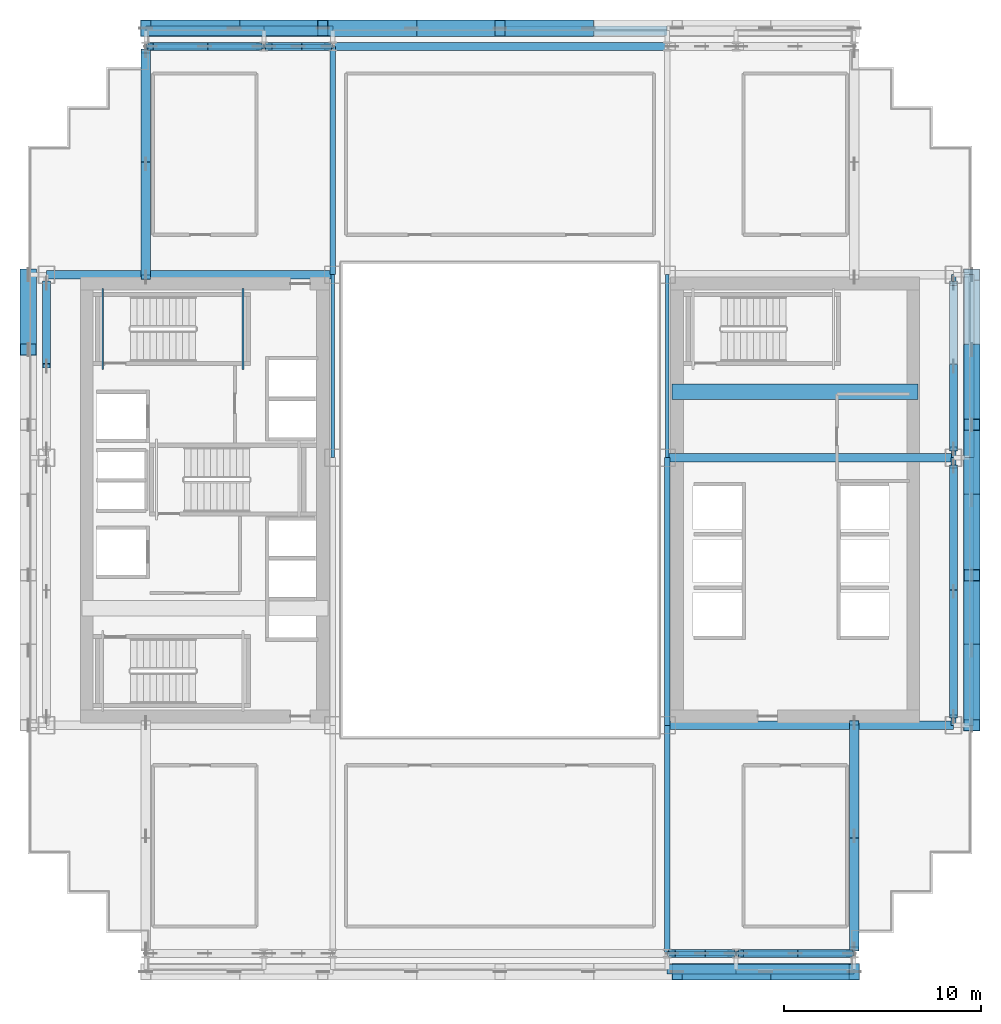
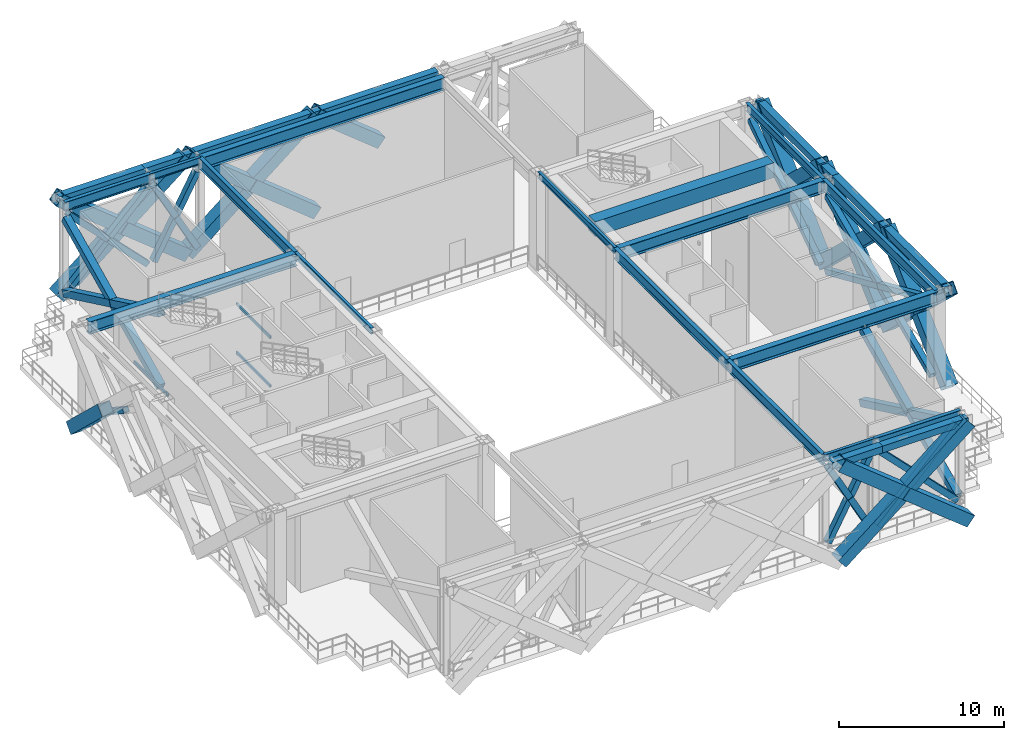
# One storey, part 2 of 14: 43 members, 26 beams.
"""IFC4 building model written with IfcOpenShell, lengths in metres."""

from ifc_helpers import new_model, si_unit, direction, frame, origin, origin_2d, place, context, subcontext, project, spatial, rectangle, hollow_rectangle, i_section, extrude, source, transform, mapped, material, material_profile, profile_set, type_object, element, save


model = new_model("IFC4")

# Units and contexts
model_context = context("Model", 3, precision=1e-05, world=origin(), true_north=direction((0.0, 1.0)))
body_context = subcontext(model_context, "Body", "Model", "MODEL_VIEW")
ifc_project = project(units=[si_unit("LENGTHUNIT", "METRE"), si_unit("AREAUNIT", "SQUARE_METRE"), si_unit("VOLUMEUNIT", "CUBIC_METRE"), si_unit("PLANEANGLEUNIT", "RADIAN"), si_unit("MASSUNIT", "GRAM", prefix="KILO")], contexts=[model_context])

# Site, building, storey
site_placement = place(None, origin())
site = spatial("IfcSite", under=ifc_project, at=site_placement, CompositionType="ELEMENT")
building_placement = place(site_placement, origin())
building = spatial("IfcBuilding", under=site, at=building_placement, Name="Ocotamira Hotel", CompositionType="ELEMENT")
storey_placement = place(building_placement, frame((0.0, 0.0, 85.199951171875)))
storey = spatial("IfcBuildingStorey", under=building, at=storey_placement, Name="L21", CompositionType="ELEMENT", Elevation=85.199951171875)

# Beams
ifc_material_1 = material(Name="Concrete C60/75", Category="concrete")
ifc_material_profile_1 = material_profile(ifc_material_1, rectangle(XDim=0.800048828125, YDim=1.10009765625, at=origin_2d()), Name="RC800X1100")
ifc_profile_set_1 = profile_set([ifc_material_profile_1], Name="Concrete C60/75")
beam_type_1 = type_object("IfcBeamType", Name="BM-LINK-RC800", PredefinedType="LINTEL", material=ifc_profile_set_1)
shared_shape_1 = source(origin(), body_context, "Body", "SweptSolid", [
    extrude(rectangle(XDim=0.800048828125, YDim=1.10009765625, at=origin_2d()), origin(), (0.0, 0.0, 1.0), 12.5),
])
beam_1_placement = place(storey_placement, frame((40.75, 31.5, 6.3701171875), z_axis=(1.0, 0.0, 0.0), x_axis=(0.0, 1.0, 0.0)))
element("IfcBeam", 1, at=beam_1_placement, inside=storey, type_object=beam_type_1, Name="L21 East Core Coupling Beam", PredefinedType="LINTEL", context=body_context, shape_type="MappedRepresentation", body=[
    mapped(shared_shape_1, transform((0.0, 0.0, 0.0), scale=1.0)),
])
ifc_material_2 = material(Name="Steel ASTM A500 Grade C", Category="steel")
ifc_material_profile_2 = material_profile(ifc_material_2, hollow_rectangle(XDim=0.10009765625, YDim=0.199951171875, WallThickness=0.008056640625, at=origin_2d()), Name="HSS200X100X8")
ifc_profile_set_2 = profile_set([ifc_material_profile_2], Name="Steel ASTM A500 Grade C")
beam_type_2 = type_object("IfcBeamType", Name="BM-STLDG-HSS200", PredefinedType="BEAM", material=ifc_profile_set_2)
shared_shape_2 = source(origin(), body_context, "Body", "SweptSolid", [
    extrude(hollow_rectangle(XDim=0.10009765625, YDim=0.199951171875, WallThickness=0.008056640625, at=origin_2d()), origin(), (0.0, 0.0, 1.0), 4.1201171875),
])
for number, where, z_axis, x_axis, name in (
    (2, (18.949951171875, 32.6298828125, 1.5), (0.0, 1.0, 0.0), (-1.0, 0.0, 0.0), "L21 Stair ST-2 Landing Bearer 1"),
    (3, (11.81005859375, 32.6298828125, 3.300048828125), (0.0, 1.0, 0.0), (-1.0, 0.0, 0.0), "L21 Stair ST-2 Landing Bearer 2"),
    (4, (18.949951171875, 32.6298828125, 5.10009765625), (0.0, 1.0, 0.0), (-1.0, 0.0, 0.0), "L21 Stair ST-2 Landing Bearer 3"),
):
    element("IfcBeam", number, at=place(storey_placement, frame(where, z_axis=z_axis, x_axis=x_axis)), inside=storey, type_object=beam_type_2, Name=name, PredefinedType="BEAM", context=body_context, shape_type="MappedRepresentation", body=[
        mapped(shared_shape_2, transform((0.0, 0.0, 0.0), scale=1.0)),
    ])
ifc_material_3 = material(Name="Steel ASTM A992 Grade 50", Category="steel")
ifc_material_profile_3 = material_profile(ifc_material_3, i_section(OverallWidth=0.41796875, OverallDepth=0.927001953125, WebThickness=0.019287109375, FlangeThickness=0.031982421875, FilletRadius=0.02392578125, at=origin_2d()), Name="W36X231")
ifc_profile_set_3 = profile_set([ifc_material_profile_3], Name="Steel ASTM A992 Grade 50")
beam_type_3 = type_object("IfcBeamType", Name="BM-GIRD-W36X231", PredefinedType="BEAM", material=ifc_profile_set_3)
shared_shape_3 = source(origin(), body_context, "Body", "SweptSolid", [
    extrude(i_section(OverallWidth=0.41796875, OverallDepth=0.927001953125, WebThickness=0.019287109375, FlangeThickness=0.031982421875, FilletRadius=0.02392578125, at=origin_2d()), origin(), (0.0, 0.0, 1.0), 14.550048828125),
])
for number, where, z_axis, x_axis, name in (
    (5, (40.5, 14.550048828125, 6.45654296875), (1.0, 0.0, 0.0), (0.0, 1.0, 0.0), "L21 Girder Y14.55 X40.5-55.05"),
    (6, (40.5, 28.14990234375, 6.45654296875), (1.0, 0.0, 0.0), (0.0, 1.0, 0.0), "L21 Girder Y28.15 X40.5-55.05"),
    (7, (8.949951171875, 37.449951171875, 6.45654296875), (1.0, 0.0, 0.0), (0.0, 1.0, 0.0), "L21 Girder Y37.45 X8.95-23.5"),
):
    element("IfcBeam", number, at=place(storey_placement, frame(where, z_axis=z_axis, x_axis=x_axis)), inside=storey, type_object=beam_type_3, Name=name, PredefinedType="BEAM", context=body_context, shape_type="MappedRepresentation", body=[
        mapped(shared_shape_3, transform((0.0, 0.0, 0.0), scale=1.0)),
    ])
shared_shape_4 = source(origin(), body_context, "Body", "SweptSolid", [
    extrude(i_section(OverallWidth=0.41796875, OverallDepth=0.927001953125, WebThickness=0.019287109375, FlangeThickness=0.031982421875, FilletRadius=0.02392578125, at=origin_2d()), origin(), (0.0, 0.0, 1.0), 17.0),
])
beam_2_placement = place(storey_placement, frame((23.5, 49.050048828125, 6.45654296875), z_axis=(1.0, 0.0, 0.0), x_axis=(0.0, 1.0, 0.0)))
element("IfcBeam", 8, at=beam_2_placement, inside=storey, type_object=beam_type_3, Name="L21 Girder Y49.05 X23.5-40.5", PredefinedType="BEAM", context=body_context, shape_type="MappedRepresentation", body=[
    mapped(shared_shape_4, transform((0.0, 0.0, 0.0), scale=1.0)),
])
ifc_material_profile_4 = material_profile(ifc_material_3, i_section(OverallWidth=0.256103515625, OverallDepth=0.693115234375, WebThickness=0.014404296875, FlangeThickness=0.023681640625, FilletRadius=0.01611328125, at=origin_2d()), Name="W27X114")
ifc_profile_set_4 = profile_set([ifc_material_profile_4], Name="Steel ASTM A992 Grade 50")
beam_type_4 = type_object("IfcBeamType", Name="BM-PRIM-W27X114", PredefinedType="BEAM", material=ifc_profile_set_4)
shared_shape_5 = source(origin(), body_context, "Body", "SweptSolid", [
    extrude(i_section(OverallWidth=0.256103515625, OverallDepth=0.693115234375, WebThickness=0.014404296875, FlangeThickness=0.023681640625, FilletRadius=0.01611328125, at=origin_2d()), origin(), (0.0, 0.0, 1.0), 6.0),
])
for number, where, z_axis, x_axis, name in (
    (9, (44.0, 2.949951171875, 6.573486328125), (1.0, 0.0, 0.0), (0.0, 1.0, 0.0), "L21 Girder Y2.95 X44-50"),
    (10, (14.0, 49.050048828125, 6.573486328125), (1.0, 0.0, 0.0), (0.0, 1.0, 0.0), "L21 Girder Y49.05 X14-20"),
):
    element("IfcBeam", number, at=place(storey_placement, frame(where, z_axis=z_axis, x_axis=x_axis)), inside=storey, type_object=beam_type_4, Name=name, PredefinedType="BEAM", context=body_context, shape_type="MappedRepresentation", body=[
        mapped(shared_shape_5, transform((0.0, 0.0, 0.0), scale=1.0)),
    ])
ifc_material_profile_5 = material_profile(ifc_material_3, i_section(OverallWidth=0.2099609375, OverallDepth=0.537109375, WebThickness=0.010986328125, FlangeThickness=0.017333984375, FilletRadius=0.012939453125, at=origin_2d()), Name="W21X68")
ifc_profile_set_5 = profile_set([ifc_material_profile_5], Name="Steel ASTM A992 Grade 50")
beam_type_5 = type_object("IfcBeamType", Name="BM-SEC-W21X68", PredefinedType="JOIST", material=ifc_profile_set_5)
shared_shape_6 = source(origin(), body_context, "Body", "SweptSolid", [
    extrude(i_section(OverallWidth=0.2099609375, OverallDepth=0.537109375, WebThickness=0.010986328125, FlangeThickness=0.017333984375, FilletRadius=0.012939453125, at=origin_2d()), origin(), (0.0, 0.0, 1.0), 3.5),
])
for number, where, z_axis, x_axis, name in (
    (11, (40.5, 2.949951171875, 6.651611328125), (1.0, 0.0, 0.0), (0.0, 1.0, 0.0), "L21 Girder Y2.95 X40.5-44"),
    (12, (20.0, 49.050048828125, 6.651611328125), (1.0, 0.0, 0.0), (0.0, 1.0, 0.0), "L21 Girder Y49.05 X20-23.5"),
):
    element("IfcBeam", number, at=place(storey_placement, frame(where, z_axis=z_axis, x_axis=x_axis)), inside=storey, type_object=beam_type_5, Name=name, PredefinedType="JOIST", context=body_context, shape_type="MappedRepresentation", body=[
        mapped(shared_shape_6, transform((0.0, 0.0, 0.0), scale=1.0)),
    ])
ifc_material_profile_6 = material_profile(ifc_material_3, i_section(OverallWidth=0.26611328125, OverallDepth=0.779052734375, WebThickness=0.0166015625, FlangeThickness=0.030029296875, FilletRadius=0.01806640625, at=origin_2d()), Name="W30X148")
ifc_profile_set_6 = profile_set([ifc_material_profile_6], Name="Steel ASTM A992 Grade 50")
beam_type_6 = type_object("IfcBeamType", Name="BM-GIRD-W30X148", PredefinedType="BEAM", material=ifc_profile_set_6)
shared_shape_7 = source(origin(), body_context, "Body", "SweptSolid", [
    extrude(i_section(OverallWidth=0.26611328125, OverallDepth=0.779052734375, WebThickness=0.0166015625, FlangeThickness=0.030029296875, FilletRadius=0.01806640625, at=origin_2d()), origin(), (0.0, 0.0, 1.0), 13.599853515625),
])
for number, where, z_axis, x_axis, name in (
    (13, (40.5, 14.550048828125, 6.530517578125), (0.0, 1.0, 0.0), (-1.0, 0.0, 0.0), "L21 Beam X40.5 Y14.55-28.15"),
    (14, (55.050048828125, 14.550048828125, 6.530517578125), (0.0, 1.0, 0.0), (-1.0, 0.0, 0.0), "L21 Beam X55.05 Y14.55-28.15"),
):
    element("IfcBeam", number, at=place(storey_placement, frame(where, z_axis=z_axis, x_axis=x_axis)), inside=storey, type_object=beam_type_6, Name=name, PredefinedType="BEAM", context=body_context, shape_type="MappedRepresentation", body=[
        mapped(shared_shape_7, transform((0.0, 0.0, 0.0), scale=1.0)),
    ])
ifc_material_profile_7 = material_profile(ifc_material_3, i_section(OverallWidth=0.22998046875, OverallDepth=0.616943359375, WebThickness=0.01318359375, FlangeThickness=0.022216796875, FilletRadius=0.012939453125, at=origin_2d()), Name="W24X94")
ifc_profile_set_7 = profile_set([ifc_material_profile_7], Name="Steel ASTM A992 Grade 50")
beam_type_7 = type_object("IfcBeamType", Name="BM-PRIM-W24X94", PredefinedType="BEAM", material=ifc_profile_set_7)
shared_shape_8 = source(origin(), body_context, "Body", "SweptSolid", [
    extrude(i_section(OverallWidth=0.22998046875, OverallDepth=0.616943359375, WebThickness=0.01318359375, FlangeThickness=0.022216796875, FilletRadius=0.012939453125, at=origin_2d()), origin(), (0.0, 0.0, 1.0), 9.300048828125),
])
beam_3_placement = place(storey_placement, frame((55.050048828125, 28.14990234375, 6.611572265625), z_axis=(0.0, 1.0, 0.0), x_axis=(-1.0, 0.0, 0.0)))
element("IfcBeam", 15, at=beam_3_placement, inside=storey, type_object=beam_type_7, Name="L21 Beam X55.05 Y28.15-37.45", PredefinedType="BEAM", context=body_context, shape_type="MappedRepresentation", body=[
    mapped(shared_shape_8, transform((0.0, 0.0, 0.0), scale=1.0)),
])
shared_shape_9 = source(origin(), body_context, "Body", "SweptSolid", [
    extrude(i_section(OverallWidth=0.26611328125, OverallDepth=0.779052734375, WebThickness=0.0166015625, FlangeThickness=0.030029296875, FilletRadius=0.01806640625, at=origin_2d()), origin(), (0.0, 0.0, 1.0), 11.60009765625),
])
for number, where, z_axis, x_axis, name in (
    (16, (23.5, 37.449951171875, 6.530517578125), (0.0, 1.0, 0.0), (-1.0, 0.0, 0.0), "L21 Beam X23.5 Y37.45-49.05"),
    (17, (40.5, 2.949951171875, 6.530517578125), (0.0, 1.0, 0.0), (-1.0, 0.0, 0.0), "L21 Beam X40.5 Y2.95-14.55"),
):
    element("IfcBeam", number, at=place(storey_placement, frame(where, z_axis=z_axis, x_axis=x_axis)), inside=storey, type_object=beam_type_6, Name=name, PredefinedType="BEAM", context=body_context, shape_type="MappedRepresentation", body=[
        mapped(shared_shape_9, transform((0.0, 0.0, 0.0), scale=1.0)),
    ])
ifc_material_profile_8 = material_profile(ifc_material_3, i_section(OverallWidth=0.18994140625, OverallDepth=0.45703125, WebThickness=0.009033203125, FlangeThickness=0.014404296875, FilletRadius=0.010009765625, at=origin_2d()), Name="W18X50")
ifc_profile_set_8 = profile_set([ifc_material_profile_8], Name="Steel ASTM A992 Grade 50")
beam_type_8 = type_object("IfcBeamType", Name="BM-SEC-W18X50", PredefinedType="JOIST", material=ifc_profile_set_8)
shared_shape_10 = source(origin(), body_context, "Body", "SweptSolid", [
    extrude(i_section(OverallWidth=0.18994140625, OverallDepth=0.45703125, WebThickness=0.009033203125, FlangeThickness=0.014404296875, FilletRadius=0.010009765625, at=origin_2d()), origin(), (0.0, 0.0, 1.0), 9.300048828125),
])
for number, where, z_axis, x_axis, name in (
    (18, (23.5, 28.14990234375, 6.691650390625), (0.0, 1.0, 0.0), (-1.0, 0.0, 0.0), "L21 Beam X23.5 Y28.15-37.45"),
    (19, (40.5, 28.14990234375, 6.691650390625), (0.0, 1.0, 0.0), (-1.0, 0.0, 0.0), "L21 Beam X40.5 Y28.15-37.45"),
):
    element("IfcBeam", number, at=place(storey_placement, frame(where, z_axis=z_axis, x_axis=x_axis)), inside=storey, type_object=beam_type_8, Name=name, PredefinedType="JOIST", context=body_context, shape_type="MappedRepresentation", body=[
        mapped(shared_shape_10, transform((0.0, 0.0, 0.0), scale=1.0)),
    ])
ifc_material_profile_9 = material_profile(ifc_material_2, hollow_rectangle(XDim=0.5, YDim=0.5, WallThickness=0.02001953125, at=origin_2d()), Name="HSS500X500X20")
ifc_profile_set_9 = profile_set([ifc_material_profile_9], Name="Steel ASTM A500 Grade C")
beam_type_9 = type_object("IfcBeamType", Name="BM-SPAN-HSS500", PredefinedType="USERDEFINED", material=ifc_profile_set_9)
shared_shape_11 = source(origin(), body_context, "Body", "SweptSolid", [
    extrude(hollow_rectangle(XDim=0.5, YDim=0.5, WallThickness=0.02001953125, at=origin_2d()), origin(), (0.0, 0.0, 1.0), 6.0),
])
for number, where, z_axis, x_axis, name in (
    (20, (44.0, 2.14990234375, 6.670166015625), (1.0, 0.0, 0.0), (0.0, 1.0, 0.0), "L21 Edge Spandrel S X44-50"),
    (21, (14.0, 49.85009765625, 6.670166015625), (1.0, 0.0, 0.0), (0.0, 1.0, 0.0), "L21 Edge Spandrel N X14-20"),
):
    element("IfcBeam", number, at=place(storey_placement, frame(where, z_axis=z_axis, x_axis=x_axis)), inside=storey, type_object=beam_type_9, Name=name, ObjectType="SPANDREL", PredefinedType="USERDEFINED", context=body_context, shape_type="MappedRepresentation", body=[
        mapped(shared_shape_11, transform((0.0, 0.0, 0.0), scale=1.0)),
    ])
shared_shape_12 = source(origin(), body_context, "Body", "SweptSolid", [
    extrude(hollow_rectangle(XDim=0.5, YDim=0.5, WallThickness=0.02001953125, at=origin_2d()), origin(), (0.0, 0.0, 1.0), 13.599853515625),
])
beam_4_placement = place(storey_placement, frame((55.85009765625, 14.550048828125, 6.670166015625), z_axis=(0.0, 1.0, 0.0), x_axis=(-1.0, 0.0, 0.0)))
element("IfcBeam", 22, at=beam_4_placement, inside=storey, type_object=beam_type_9, Name="L21 Edge Spandrel E Y14.55-28.15", ObjectType="SPANDREL", PredefinedType="USERDEFINED", context=body_context, shape_type="MappedRepresentation", body=[
    mapped(shared_shape_12, transform((0.0, 0.0, 0.0), scale=1.0)),
])
shared_shape_13 = source(origin(), body_context, "Body", "SweptSolid", [
    extrude(hollow_rectangle(XDim=0.5, YDim=0.5, WallThickness=0.02001953125, at=origin_2d()), origin(), (0.0, 0.0, 1.0), 9.300048828125),
])
beam_5_placement = place(storey_placement, frame((55.85009765625, 28.14990234375, 6.670166015625), z_axis=(0.0, 1.0, 0.0), x_axis=(-1.0, 0.0, 0.0)))
element("IfcBeam", 23, at=beam_5_placement, inside=storey, type_object=beam_type_9, Name="L21 Edge Spandrel E Y28.15-37.45", ObjectType="SPANDREL", PredefinedType="USERDEFINED", context=body_context, shape_type="MappedRepresentation", body=[
    mapped(shared_shape_13, transform((0.0, 0.0, 0.0), scale=1.0)),
])
shared_shape_14 = source(origin(), body_context, "Body", "SweptSolid", [
    extrude(hollow_rectangle(XDim=0.5, YDim=0.5, WallThickness=0.02001953125, at=origin_2d()), origin(), (0.0, 0.0, 1.0), 3.5),
])
for number, where, z_axis, x_axis, name in (
    (24, (40.5, 2.14990234375, 6.670166015625), (1.0, 0.0, 0.0), (0.0, 1.0, 0.0), "L21 Edge Spandrel S X40.5-44"),
    (25, (20.0, 49.85009765625, 6.670166015625), (1.0, 0.0, 0.0), (0.0, 1.0, 0.0), "L21 Edge Spandrel N X20-23.5"),
):
    element("IfcBeam", number, at=place(storey_placement, frame(where, z_axis=z_axis, x_axis=x_axis)), inside=storey, type_object=beam_type_9, Name=name, ObjectType="SPANDREL", PredefinedType="USERDEFINED", context=body_context, shape_type="MappedRepresentation", body=[
        mapped(shared_shape_14, transform((0.0, 0.0, 0.0), scale=1.0)),
    ])
shared_shape_15 = source(origin(), body_context, "Body", "SweptSolid", [
    extrude(hollow_rectangle(XDim=0.5, YDim=0.5, WallThickness=0.02001953125, at=origin_2d()), origin(), (0.0, 0.0, 1.0), 17.0),
])
beam_6_placement = place(storey_placement, frame((23.5, 49.85009765625, 6.670166015625), z_axis=(1.0, 0.0, 0.0), x_axis=(0.0, 1.0, 0.0)))
element("IfcBeam", 26, at=beam_6_placement, inside=storey, type_object=beam_type_9, Name="L21 Edge Spandrel N X23.5-40.5", ObjectType="SPANDREL", PredefinedType="USERDEFINED", context=body_context, shape_type="MappedRepresentation", body=[
    mapped(shared_shape_15, transform((0.0, 0.0, 0.0), scale=1.0)),
])

# Members
ifc_material_4 = material(Name="Steel ASTM A913 Grade 65", Category="steel")
ifc_material_profile_10 = material_profile(ifc_material_4, hollow_rectangle(XDim=0.5, YDim=0.5, WallThickness=0.02001953125, at=origin_2d()), Name="HSS500X500X20")
ifc_profile_set_10 = profile_set([ifc_material_profile_10], Name="Steel ASTM A913 Grade 65")
member_type_1 = type_object("IfcMemberType", Name="MEM-OUT-HSS500", PredefinedType="BRACE", material=ifc_profile_set_10)
shared_shape_16 = source(origin(), body_context, "Body", "SweptSolid", [
    extrude(hollow_rectangle(XDim=0.5, YDim=0.5, WallThickness=0.02001953125, at=origin_2d()), origin(), (0.0, 0.0, 1.0), 12.73876953125),
])
for number, where, z_axis, x_axis, name in (
    (27, (14.0, 37.324951171875, 0.35009765625), (0.0, 0.902368580511, 0.430965131891), (-1.0, 0.0, 0.0), "L21 Outrigger Truss N X14 A"),
    (28, (50.0, 14.675048828125, 0.35009765625), (0.0, -0.902368580511, 0.430965131891), (1.0, 0.0, 0.0), "L21 Outrigger Truss S X50 A"),
):
    element("IfcMember", number, at=place(storey_placement, frame(where, z_axis=z_axis, x_axis=x_axis)), inside=storey, type_object=member_type_1, Name=name, PredefinedType="BRACE", context=body_context, shape_type="MappedRepresentation", body=[
        mapped(shared_shape_16, transform((0.0, 0.0, 0.0), scale=1.0)),
    ])
shared_shape_17 = source(origin(), body_context, "Body", "SweptSolid", [
    extrude(hollow_rectangle(XDim=0.5, YDim=0.5, WallThickness=0.02001953125, at=origin_2d()), origin(), (0.0, 0.0, 1.0), 6.349365234375),
])
for number, where, z_axis, x_axis, name in (
    (29, (14.0, 37.324951171875, 5.840087890625), (0.0, 0.90237094461, -0.43096018183), (-1.0, 0.0, 0.0), "L21 Outrigger Truss N X14 B Lower Half"),
    (30, (14.0, 43.090576171875, 3.08642578125), (0.0, 0.90237094461, -0.43096018183), (-1.0, 0.0, 0.0), "L21 Outrigger Truss N X14 B Upper Half"),
    (31, (50.0, 14.675048828125, 5.840087890625), (0.0, -0.90237094461, -0.43096018183), (1.0, 0.0, 0.0), "L21 Outrigger Truss S X50 B Lower Half"),
    (32, (50.0, 8.909423828125, 3.08642578125), (0.0, -0.90237094461, -0.43096018183), (1.0, 0.0, 0.0), "L21 Outrigger Truss S X50 B Upper Half"),
):
    element("IfcMember", number, at=place(storey_placement, frame(where, z_axis=z_axis, x_axis=x_axis)), inside=storey, type_object=member_type_1, Name=name, PredefinedType="BRACE", context=body_context, shape_type="MappedRepresentation", body=[
        mapped(shared_shape_17, transform((0.0, 0.0, 0.0), scale=1.0)),
    ])
ifc_material_profile_11 = material_profile(ifc_material_4, hollow_rectangle(XDim=0.39990234375, YDim=0.39990234375, WallThickness=0.01611328125, at=origin_2d()), Name="HSS400X400X16")
ifc_profile_set_11 = profile_set([ifc_material_profile_11], Name="Steel ASTM A913 Grade 65")
member_type_2 = type_object("IfcMemberType", Name="MEM-BELT-HSS400", PredefinedType="BRACE", material=ifc_profile_set_11)
shared_shape_18 = source(origin(), body_context, "Body", "SweptSolid", [
    extrude(hollow_rectangle(XDim=0.39990234375, YDim=0.39990234375, WallThickness=0.01611328125, at=origin_2d()), origin(), (0.0, 0.0, 1.0), 7.870361328125),
])
for number, where, z_axis, x_axis, name in (
    (33, (44.239990234375, 2.949951171875, 0.35009765625), (0.701375952143, 0.0, 0.712791535973), (0.0, 1.0, 0.0), "L21 Belt Truss Diagonal 44,2.95 A"),
    (34, (14.239990234375, 49.050048828125, 0.35009765625), (0.701375952143, 0.0, 0.712791535973), (0.0, 1.0, 0.0), "L21 Belt Truss Diagonal 14,49.05 A"),
):
    element("IfcMember", number, at=place(storey_placement, frame(where, z_axis=z_axis, x_axis=x_axis)), inside=storey, type_object=member_type_2, Name=name, PredefinedType="BRACE", context=body_context, shape_type="MappedRepresentation", body=[
        mapped(shared_shape_18, transform((0.0, 0.0, 0.0), scale=1.0)),
    ])
shared_shape_19 = source(origin(), body_context, "Body", "SweptSolid", [
    extrude(hollow_rectangle(XDim=0.39990234375, YDim=0.39990234375, WallThickness=0.01611328125, at=origin_2d()), origin(), (0.0, 0.0, 1.0), 3.915283203125),
])
for number, where, z_axis, x_axis, name in (
    (35, (44.239990234375, 2.949951171875, 5.9599609375), (0.70137820504, 0.0, -0.712789319151), (0.0, 1.0, 0.0), "L21 Belt Truss Diagonal 44,2.95 B Lower Half"),
    (36, (47.013916015625, 2.949951171875, 3.140869140625), (0.70137820504, 0.0, -0.712789319151), (0.0, 1.0, 0.0), "L21 Belt Truss Diagonal 44,2.95 B Upper Half"),
    (37, (14.239990234375, 49.050048828125, 5.9599609375), (0.70137820504, 0.0, -0.712789319151), (0.0, 1.0, 0.0), "L21 Belt Truss Diagonal 14,49.05 B Lower Half"),
    (38, (17.013916015625, 49.050048828125, 3.140869140625), (0.70137820504, 0.0, -0.712789319151), (0.0, 1.0, 0.0), "L21 Belt Truss Diagonal 14,49.05 B Upper Half"),
):
    element("IfcMember", number, at=place(storey_placement, frame(where, z_axis=z_axis, x_axis=x_axis)), inside=storey, type_object=member_type_2, Name=name, PredefinedType="BRACE", context=body_context, shape_type="MappedRepresentation", body=[
        mapped(shared_shape_19, transform((0.0, 0.0, 0.0), scale=1.0)),
    ])
shared_shape_20 = source(origin(), body_context, "Body", "SweptSolid", [
    extrude(hollow_rectangle(XDim=0.39990234375, YDim=0.39990234375, WallThickness=0.01611328125, at=origin_2d()), origin(), (0.0, 0.0, 1.0), 6.37109375),
])
for number, where, z_axis, x_axis, name in (
    (39, (40.739990234375, 2.949951171875, 0.35009765625), (0.474017556158, 0.0, 0.880515392514), (0.0, 1.0, 0.0), "L21 Belt Truss Diagonal 40.5,2.95 A"),
    (40, (20.239990234375, 49.050048828125, 0.35009765625), (0.474017556158, 0.0, 0.880515392514), (0.0, 1.0, 0.0), "L21 Belt Truss Diagonal 20,49.05 A"),
):
    element("IfcMember", number, at=place(storey_placement, frame(where, z_axis=z_axis, x_axis=x_axis)), inside=storey, type_object=member_type_2, Name=name, PredefinedType="BRACE", context=body_context, shape_type="MappedRepresentation", body=[
        mapped(shared_shape_20, transform((0.0, 0.0, 0.0), scale=1.0)),
    ])
shared_shape_21 = source(origin(), body_context, "Body", "SweptSolid", [
    extrude(hollow_rectangle(XDim=0.39990234375, YDim=0.39990234375, WallThickness=0.01611328125, at=origin_2d()), origin(), (0.0, 0.0, 1.0), 3.16552734375),
])
for number, where, z_axis, x_axis, name in (
    (41, (40.739990234375, 2.949951171875, 5.9599609375), (0.474003238469, 0.0, -0.880523100163), (0.0, 1.0, 0.0), "L21 Belt Truss Diagonal 40.5,2.95 B Lower Half"),
    (42, (42.259521484375, 2.949951171875, 3.137451171875), (0.474003238469, 0.0, -0.880523100163), (0.0, 1.0, 0.0), "L21 Belt Truss Diagonal 40.5,2.95 B Upper Half"),
    (43, (20.239990234375, 49.050048828125, 5.9599609375), (0.474003238469, 0.0, -0.880523100163), (0.0, 1.0, 0.0), "L21 Belt Truss Diagonal 20,49.05 B Lower Half"),
    (44, (21.759521484375, 49.050048828125, 3.137451171875), (0.474003238469, 0.0, -0.880523100163), (0.0, 1.0, 0.0), "L21 Belt Truss Diagonal 20,49.05 B Upper Half"),
):
    element("IfcMember", number, at=place(storey_placement, frame(where, z_axis=z_axis, x_axis=x_axis)), inside=storey, type_object=member_type_2, Name=name, PredefinedType="BRACE", context=body_context, shape_type="MappedRepresentation", body=[
        mapped(shared_shape_21, transform((0.0, 0.0, 0.0), scale=1.0)),
    ])
shared_shape_22 = source(origin(), body_context, "Body", "SweptSolid", [
    extrude(hollow_rectangle(XDim=0.39990234375, YDim=0.39990234375, WallThickness=0.01611328125, at=origin_2d()), origin(), (0.0, 0.0, 1.0), 13.902099609375),
])
member_1_placement = place(storey_placement, frame((55.050048828125, 14.989990234375, 0.35009765625), z_axis=(0.0, 0.914967960932, 0.403526492895), x_axis=(-1.0, 0.0, 0.0)))
element("IfcMember", 45, at=member_1_placement, inside=storey, type_object=member_type_2, Name="L21 Belt Truss Diagonal 55.05,14.55 A", PredefinedType="BRACE", context=body_context, shape_type="MappedRepresentation", body=[
    mapped(shared_shape_22, transform((0.0, 0.0, 0.0), scale=1.0)),
])
shared_shape_23 = source(origin(), body_context, "Body", "SweptSolid", [
    extrude(hollow_rectangle(XDim=0.39990234375, YDim=0.39990234375, WallThickness=0.01611328125, at=origin_2d()), origin(), (0.0, 0.0, 1.0), 6.93115234375),
])
member_2_placement = place(storey_placement, frame((55.050048828125, 14.989990234375, 5.9599609375), z_axis=(0.0, 0.914969826027, -0.403522263896), x_axis=(-1.0, 0.0, 0.0)))
element("IfcMember", 46, at=member_2_placement, inside=storey, type_object=member_type_2, Name="L21 Belt Truss Diagonal 55.05,14.55 B Lower Half", PredefinedType="BRACE", context=body_context, shape_type="MappedRepresentation", body=[
    mapped(shared_shape_23, transform((0.0, 0.0, 0.0), scale=1.0)),
])
shared_shape_24 = source(origin(), body_context, "Body", "SweptSolid", [
    extrude(hollow_rectangle(XDim=0.39990234375, YDim=0.39990234375, WallThickness=0.01611328125, at=origin_2d()), origin(), (0.0, 0.0, 1.0), 6.930908203125),
])
member_3_placement = place(storey_placement, frame((55.050048828125, 21.368408203125, 3.14697265625), z_axis=(0.0, 0.914964090273, -0.403535269227), x_axis=(-1.0, 0.0, 0.0)))
element("IfcMember", 47, at=member_3_placement, inside=storey, type_object=member_type_2, Name="L21 Belt Truss Diagonal 55.05,14.55 B Upper Half", PredefinedType="BRACE", context=body_context, shape_type="MappedRepresentation", body=[
    mapped(shared_shape_24, transform((0.0, 0.0, 0.0), scale=1.0)),
])
shared_shape_25 = source(origin(), body_context, "Body", "SweptSolid", [
    extrude(hollow_rectangle(XDim=0.39990234375, YDim=0.39990234375, WallThickness=0.01611328125, at=origin_2d()), origin(), (0.0, 0.0, 1.0), 10.11767578125),
])
member_4_placement = place(storey_placement, frame((55.050048828125, 28.590087890625, 0.35009765625), z_axis=(0.0, 0.832206180403, 0.554466295909), x_axis=(-1.0, 0.0, 0.0)))
element("IfcMember", 48, at=member_4_placement, inside=storey, type_object=member_type_2, Name="L21 Belt Truss Diagonal 55.05,28.15 A", PredefinedType="BRACE", context=body_context, shape_type="MappedRepresentation", body=[
    mapped(shared_shape_25, transform((0.0, 0.0, 0.0), scale=1.0)),
])
shared_shape_26 = source(origin(), body_context, "Body", "SweptSolid", [
    extrude(hollow_rectangle(XDim=0.39990234375, YDim=0.39990234375, WallThickness=0.01611328125, at=origin_2d()), origin(), (0.0, 0.0, 1.0), 5.038818359375),
])
for number, where, z_axis, x_axis, name in (
    (49, (8.949951171875, 32.816650390625, 3.14404296875), (0.0, 0.832199345178, -0.554476554857), (-1.0, 0.0, 0.0), "L21 Belt Truss Diagonal 8.95,28.15 B Upper Half"),
    (50, (55.050048828125, 28.590087890625, 5.9599609375), (0.0, 0.832221702224, -0.554442998285), (-1.0, 0.0, 0.0), "L21 Belt Truss Diagonal 55.05,28.15 B Lower Half"),
):
    element("IfcMember", number, at=place(storey_placement, frame(where, z_axis=z_axis, x_axis=x_axis)), inside=storey, type_object=member_type_2, Name=name, PredefinedType="BRACE", context=body_context, shape_type="MappedRepresentation", body=[
        mapped(shared_shape_26, transform((0.0, 0.0, 0.0), scale=1.0)),
    ])
ifc_material_5 = material(Name="Pale-metal coated steel ASTM A913 Grade 65", Category="steel")
ifc_material_profile_12 = material_profile(ifc_material_5, hollow_rectangle(XDim=0.85009765625, YDim=0.85009765625, WallThickness=0.035888671875, at=origin_2d()), Name="BOX850X850X36")
ifc_profile_set_12 = profile_set([ifc_material_profile_12], Name="Pale-metal coated steel ASTM A913 Grade 65")
member_type_3 = type_object("IfcMemberType", Name="MEM-EXO-BOX850", PredefinedType="BRACE", material=ifc_profile_set_12)
shared_shape_27 = source(origin(), body_context, "Body", "SweptSolid", [
    extrude(hollow_rectangle(XDim=0.85009765625, YDim=0.85009765625, WallThickness=0.035888671875, at=origin_2d()), origin(), (0.0, 0.0, 1.0), 11.55078125),
])
for number, where, z_axis, x_axis, name in (
    (51, (41.0, 2.030029296875, -0.570068359375), (0.779166772516, 0.0, 0.626816672247), (0.0, 1.0, 0.0), "L21 Exoskeleton Diagrid S3.1"),
    (52, (14.0, 49.969970703125, -0.570068359375), (0.779166772516, 0.0, 0.626816672247), (0.0, 1.0, 0.0), "L21 Exoskeleton Diagrid N0.1"),
    (53, (23.0, 49.969970703125, -0.570068359375), (0.779166772516, 0.0, 0.626816672247), (0.0, 1.0, 0.0), "L21 Exoskeleton Diagrid N1.1"),
):
    element("IfcMember", number, at=place(storey_placement, frame(where, z_axis=z_axis, x_axis=x_axis)), inside=storey, type_object=member_type_3, Name=name, PredefinedType="BRACE", context=body_context, shape_type="MappedRepresentation", body=[
        mapped(shared_shape_27, transform((0.0, 0.0, 0.0), scale=1.0)),
    ])
shared_shape_28 = source(origin(), body_context, "Body", "SweptSolid", [
    extrude(hollow_rectangle(XDim=0.85009765625, YDim=0.85009765625, WallThickness=0.035888671875, at=origin_2d()), origin(), (0.0, 0.0, 1.0), 5.75537109375),
])
for number, where, z_axis, x_axis, name in (
    (54, (50.0, 2.030029296875, -0.570068359375), (-0.779156701488, 0.0, 0.626829190869), (0.0, -1.0, 0.0), "L21 Exoskeleton Diagrid S3.2 Lower Half"),
    (55, (45.484375, 2.030029296875, 3.0625), (-0.779156701488, 0.0, 0.626829190869), (0.0, -1.0, 0.0), "L21 Exoskeleton Diagrid S3.2 Upper Half"),
    (56, (23.0, 49.969970703125, -0.570068359375), (-0.779156701488, 0.0, 0.626829190869), (0.0, -1.0, 0.0), "L21 Exoskeleton Diagrid N0.2 Lower Half"),
    (57, (18.484375, 49.969970703125, 3.0625), (-0.779156701488, 0.0, 0.626829190869), (0.0, -1.0, 0.0), "L21 Exoskeleton Diagrid N0.2 Upper Half"),
    (58, (32.0, 49.969970703125, -0.570068359375), (-0.779156701488, 0.0, 0.626829190869), (0.0, -1.0, 0.0), "L21 Exoskeleton Diagrid N1.2 Lower Half"),
    (59, (27.484375, 49.969970703125, 3.0625), (-0.779156701488, 0.0, 0.626829190869), (0.0, -1.0, 0.0), "L21 Exoskeleton Diagrid N1.2 Upper Half"),
    (60, (36.484375, 49.969970703125, 3.0625), (-0.779156701488, 0.0, 0.626829190869), (0.0, -1.0, 0.0), "L21 Exoskeleton Diagrid N2.2 Upper Half"),
):
    element("IfcMember", number, at=place(storey_placement, frame(where, z_axis=z_axis, x_axis=x_axis)), inside=storey, type_object=member_type_3, Name=name, PredefinedType="BRACE", context=body_context, shape_type="MappedRepresentation", body=[
        mapped(shared_shape_28, transform((0.0, 0.0, 0.0), scale=1.0)),
    ])
shared_shape_29 = source(origin(), body_context, "Body", "SweptSolid", [
    extrude(hollow_rectangle(XDim=0.85009765625, YDim=0.85009765625, WallThickness=0.035888671875, at=origin_2d()), origin(), (0.0, 0.0, 1.0), 10.520751953125),
])
for number, where, z_axis, x_axis, name in (
    (61, (55.969970703125, 14.550048828125, -0.570068359375), (0.0, 0.725540344129, 0.688179634283), (-1.0, 0.0, 0.0), "L21 Exoskeleton Diagrid E0.1"),
    (62, (55.969970703125, 22.183349609375, -0.570068359375), (0.0, 0.725540344129, 0.688179634283), (-1.0, 0.0, 0.0), "L21 Exoskeleton Diagrid E1.1"),
    (63, (55.969970703125, 29.816650390625, -0.570068359375), (0.0, 0.725540344129, 0.688179634283), (-1.0, 0.0, 0.0), "L21 Exoskeleton Diagrid E2.1"),
):
    element("IfcMember", number, at=place(storey_placement, frame(where, z_axis=z_axis, x_axis=x_axis)), inside=storey, type_object=member_type_3, Name=name, PredefinedType="BRACE", context=body_context, shape_type="MappedRepresentation", body=[
        mapped(shared_shape_29, transform((0.0, 0.0, 0.0), scale=1.0)),
    ])
shared_shape_30 = source(origin(), body_context, "Body", "SweptSolid", [
    extrude(hollow_rectangle(XDim=0.85009765625, YDim=0.85009765625, WallThickness=0.035888671875, at=origin_2d()), origin(), (0.0, 0.0, 1.0), 5.240478515625),
])
for number, where, z_axis, x_axis, name in (
    (64, (8.030029296875, 37.449951171875, -0.570068359375), (0.0, -0.725519166826, 0.688201960596), (1.0, 0.0, 0.0), "L21 Exoskeleton Diagrid W2.2 Lower Half"),
    (65, (55.969970703125, 22.183349609375, -0.570068359375), (0.0, -0.725541230935, 0.688178699331), (1.0, 0.0, 0.0), "L21 Exoskeleton Diagrid E0.2 Lower Half"),
    (66, (55.969970703125, 18.35205078125, 3.063720703125), (0.0, -0.725519166826, 0.688201960596), (1.0, 0.0, 0.0), "L21 Exoskeleton Diagrid E0.2 Upper Half"),
    (67, (55.969970703125, 29.816650390625, -0.570068359375), (0.0, -0.725541230935, 0.688178699331), (1.0, 0.0, 0.0), "L21 Exoskeleton Diagrid E1.2 Lower Half"),
    (68, (55.969970703125, 25.985595703125, 3.063720703125), (0.0, -0.725541230935, 0.688178699331), (1.0, 0.0, 0.0), "L21 Exoskeleton Diagrid E1.2 Upper Half"),
    (69, (55.969970703125, 33.618896484375, 3.063720703125), (0.0, -0.725541230935, 0.688178699331), (1.0, 0.0, 0.0), "L21 Exoskeleton Diagrid E2.2 Upper Half"),
):
    element("IfcMember", number, at=place(storey_placement, frame(where, z_axis=z_axis, x_axis=x_axis)), inside=storey, type_object=member_type_3, Name=name, PredefinedType="BRACE", context=body_context, shape_type="MappedRepresentation", body=[
        mapped(shared_shape_30, transform((0.0, 0.0, 0.0), scale=1.0)),
    ])

save(model, "model.ifc")
